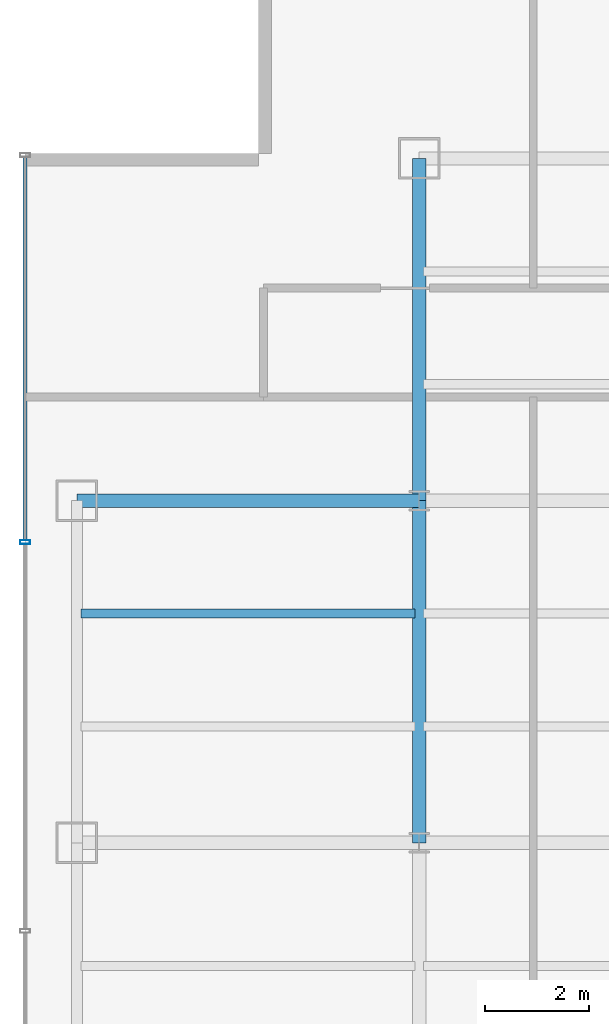
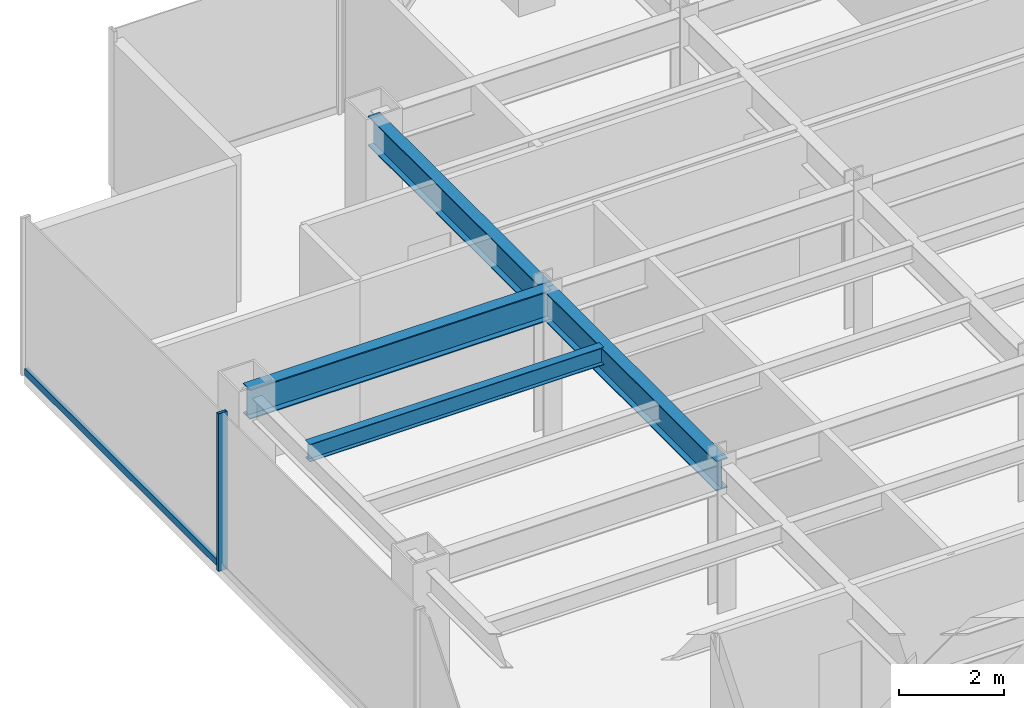
# One storey, part 6 of 26: 4 beams, 2 members, 1 element without a shape of its own.
"""IFC4 building model written with IfcOpenShell, lengths in metres."""

from ifc_helpers import new_model, si_unit, derived_unit, direction, frame, origin, origin_2d, place, context, subcontext, project, spatial, hollow_rectangle, i_section, extrude, source, transform, mapped, material, material_profile, profile_set, type_object, element, aggregate, save


model = new_model("IFC4")

# Units and contexts
model_context = context("Model", 3, precision=1e-05, world=origin(), true_north=direction((0.0, 1.0)))
body_context = subcontext(model_context, "Body", "Model", "MODEL_VIEW")
ifc_project = project(units=[si_unit("LENGTHUNIT", "METRE"), si_unit("AREAUNIT", "SQUARE_METRE"), si_unit("VOLUMEUNIT", "CUBIC_METRE"), si_unit("PLANEANGLEUNIT", "RADIAN"), si_unit("MASSUNIT", "GRAM", prefix="KILO"), derived_unit("THERMALTRANSMITTANCEUNIT", [(si_unit("POWERUNIT", "WATT"), 1), (si_unit("LENGTHUNIT", "METRE"), -2), (si_unit("THERMODYNAMICTEMPERATUREUNIT", "KELVIN"), -1)])], contexts=[model_context])

# Site, building, storey
site_placement = place(None, origin())
site = spatial("IfcSite", under=ifc_project, at=site_placement, CompositionType="ELEMENT")
building_placement = place(site_placement, origin())
building = spatial("IfcBuilding", under=site, at=building_placement, Name="Skarnbrae Concourse Arena and Tower", CompositionType="ELEMENT")
storey_placement = place(building_placement, frame((0.0, 0.0, 103.25)))
storey = spatial("IfcBuildingStorey", under=building, at=storey_placement, Name="L25", CompositionType="ELEMENT", Elevation=103.25)

# Beams
ifc_material_1 = material(Name="Steel CSA G40.21 350W", Category="steel")
ifc_material_profile_1 = material_profile(ifc_material_1, i_section(OverallWidth=0.256103515625, OverallDepth=0.693115234375, WebThickness=0.014404296875, FlangeThickness=0.023681640625, at=origin_2d()), Name="W690X170")
ifc_profile_set_1 = profile_set([ifc_material_profile_1], Name="Steel CSA G40.21 350W")
beam_type_1 = type_object("IfcBeamType", Name="BM-GIRD-W690X170", PredefinedType="BEAM", material=ifc_profile_set_1)
shared_shape_1 = source(origin(), body_context, "Body", "SweptSolid", [
    extrude(i_section(OverallWidth=0.256103515625, OverallDepth=0.693115234375, WebThickness=0.014404296875, FlangeThickness=0.023681640625, at=origin_2d()), origin(), (0.0, 0.0, 1.0), 6.60009765625),
])
for number, where, z_axis, x_axis, name in (
    (1, (1.0, 27.800048828125, 3.053466796875), (1.0, 0.0, 0.0), (0.0, 1.0, 0.0), "L25 Primary E-W girder Y27.8-1"),
    (2, (7.60009765625, 21.199951171875, 3.053466796875), (0.0, 1.0, 0.0), (-1.0, 0.0, 0.0), "L25 Primary N-S girder X7.6-2"),
):
    element("IfcBeam", number, at=place(storey_placement, frame(where, z_axis=z_axis, x_axis=x_axis)), inside=storey, type_object=beam_type_1, Name=name, PredefinedType="BEAM", context=body_context, shape_type="MappedRepresentation", body=[
        mapped(shared_shape_1, transform((0.0, 0.0, 0.0))),
    ])
shared_shape_2 = source(origin(), body_context, "Body", "SweptSolid", [
    extrude(i_section(OverallWidth=0.256103515625, OverallDepth=0.693115234375, WebThickness=0.014404296875, FlangeThickness=0.023681640625, at=origin_2d()), origin(), (0.0, 0.0, 1.0), 6.599853515625),
])
beam_1_placement = place(storey_placement, frame((7.60009765625, 27.800048828125, 3.053466796875), z_axis=(0.0, 1.0, 0.0), x_axis=(-1.0, 0.0, 0.0)))
element("IfcBeam", 3, at=beam_1_placement, inside=storey, type_object=beam_type_1, Name="L25 Primary N-S girder X7.6-3", PredefinedType="BEAM", context=body_context, shape_type="MappedRepresentation", body=[
    mapped(shared_shape_2, transform((0.0, 0.0, 0.0))),
])
ifc_material_profile_2 = material_profile(ifc_material_1, i_section(OverallWidth=0.177978515625, OverallDepth=0.406982421875, WebThickness=0.0078125, FlangeThickness=0.0126953125, at=origin_2d()), Name="W410X60")
ifc_profile_set_2 = profile_set([ifc_material_profile_2], Name="Steel CSA G40.21 350W")
beam_type_2 = type_object("IfcBeamType", Name="BM-JOIST-W410X60", PredefinedType="JOIST", material=ifc_profile_set_2)
shared_shape_3 = source(origin(), body_context, "Body", "SweptSolid", [
    extrude(i_section(OverallWidth=0.177978515625, OverallDepth=0.406982421875, WebThickness=0.0078125, FlangeThickness=0.0126953125, at=origin_2d()), origin(), (0.0, 0.0, 1.0), 6.43994140625),
])
beam_2_placement = place(storey_placement, frame((1.080078125, 25.6220703125, 3.196533203125), z_axis=(1.0, 0.0, 0.0), x_axis=(0.0, 1.0, 0.0)))
element("IfcBeam", 4, at=beam_2_placement, inside=storey, type_object=beam_type_2, Name="L25 Secondary floor joist 2.2.1", PredefinedType="JOIST", context=body_context, shape_type="MappedRepresentation", body=[
    mapped(shared_shape_3, transform((0.0, 0.0, 0.0))),
])

# Curtain wall, members
ifc_material_2 = material(Name="Bronze anodised aluminium 6063-T6", Category="aluminium")
curtain_wall_type = type_object("IfcCurtainWallType", Name="CW-SYS-04-MIDZONE", PredefinedType="USERDEFINED", material=ifc_material_2)
curtain_wall_placement = place(storey_placement, origin())
curtain_wall = element("IfcCurtainWall", 5, at=curtain_wall_placement, inside=storey, type_object=curtain_wall_type, Name="L25 Unitised curtain wall CW-L25-E19", ObjectType="UNITISED CURTAIN WALL", PredefinedType="USERDEFINED")
ifc_material_profile_3 = material_profile(ifc_material_2, hollow_rectangle(XDim=0.074951171875, YDim=0.159912109375, WallThickness=0.00439453125, at=origin_2d()), Name="ALU-TRAN-75X160")
ifc_profile_set_3 = profile_set([ifc_material_profile_3], Name="Bronze anodised aluminium 6063-T6")
member_type_1 = type_object("IfcMemberType", Name="CWT-CW-04", PredefinedType="USERDEFINED", material=ifc_profile_set_3)
shared_shape_4 = source(origin(), body_context, "Body", "SweptSolid", [
    extrude(hollow_rectangle(XDim=0.074951171875, YDim=0.159912109375, WallThickness=0.00439453125, at=origin_2d()), origin(), (0.0, 0.0, 1.0), 7.387451171875),
])
member_1_placement = place(storey_placement, frame((0.0, 34.425048828125, 0.080078125), z_axis=(0.0, -1.0, 0.0), x_axis=(1.0, 0.0, 0.0)))
member_1 = element("IfcMember", 6, at=member_1_placement, type_object=member_type_1, Name="CW-L25-E19 Transom 1", ObjectType="TRANSOM", PredefinedType="USERDEFINED", context=body_context, shape_type="MappedRepresentation", body=[
    mapped(shared_shape_4, transform((0.0, 0.0, 0.0))),
])
ifc_material_profile_4 = material_profile(ifc_material_2, hollow_rectangle(XDim=0.074951171875, YDim=0.195068359375, WallThickness=0.00439453125, at=origin_2d()), Name="ALU-MULL-75X195")
ifc_profile_set_4 = profile_set([ifc_material_profile_4], Name="Bronze anodised aluminium 6063-T6")
member_type_2 = type_object("IfcMemberType", Name="CWM-CW-04", PredefinedType="MULLION", material=ifc_profile_set_4)
shared_shape_5 = source(origin(), body_context, "Body", "SweptSolid", [
    extrude(hollow_rectangle(XDim=0.074951171875, YDim=0.195068359375, WallThickness=0.00439453125, at=origin_2d()), origin(), (0.0, 0.0, 1.0), 3.64990234375),
])
member_2_placement = place(storey_placement, frame((0.0, 27.0, 0.0), z_axis=(0.0, 0.0, 1.0), x_axis=(0.0, -1.0, 0.0)))
member_2 = element("IfcMember", 7, at=member_2_placement, type_object=member_type_2, Name="CW-L25-E19 Mullion 2", PredefinedType="MULLION", context=body_context, shape_type="MappedRepresentation", body=[
    mapped(shared_shape_5, transform((0.0, 0.0, 0.0))),
])
aggregate(curtain_wall, [member_2, member_1])

save(model, "model.ifc")
